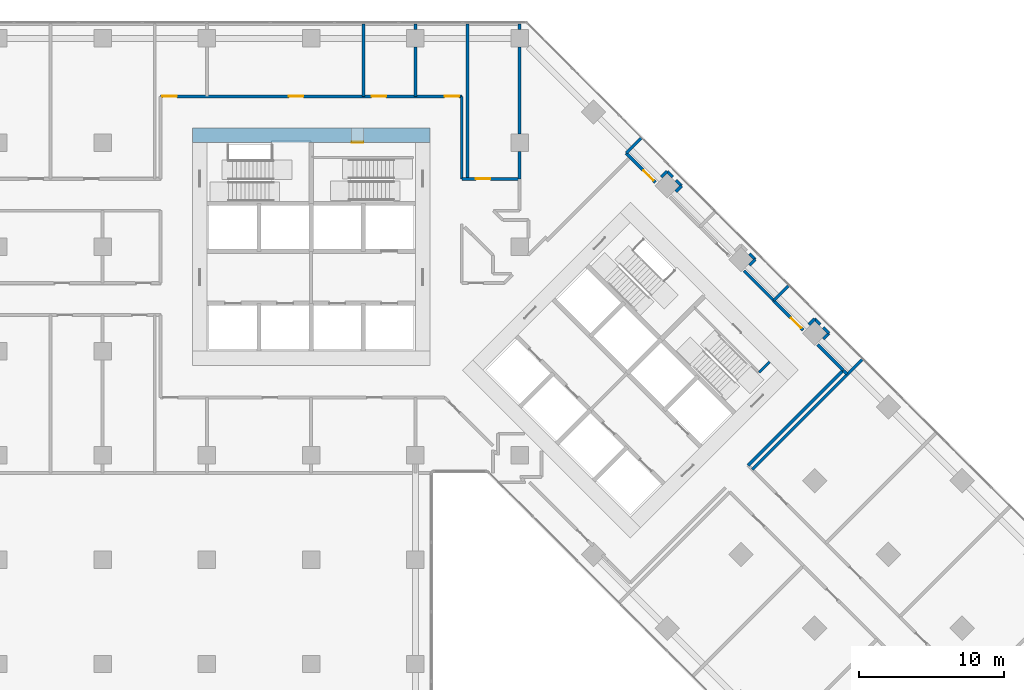
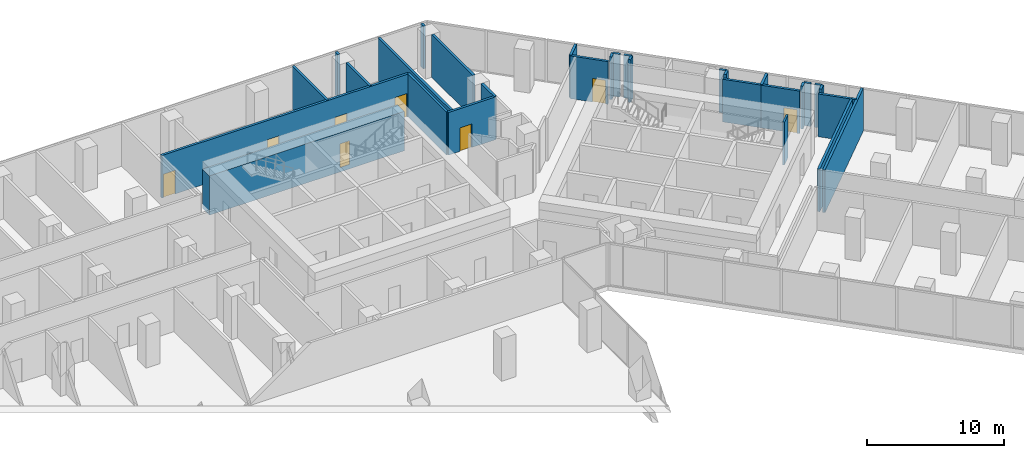
# One storey, part 23 of 27: 31 walls, 8 doors, 8 openings.
"""IFC4 building model written with IfcOpenShell, lengths in metres."""

from ifc_helpers import new_model, si_unit, direction, frame, frame_2d, origin, place, context, subcontext, project, spatial, rectangle, extrude, material, layer, layer_set, type_object, element, fill, save


model = new_model("IFC4")

# Units and contexts
model_context = context("Model", 3, precision=1e-05, world=origin(), true_north=direction((0.0, 1.0)))
body_context = subcontext(model_context, "Body", "Model", "MODEL_VIEW")
ifc_project = project(units=[si_unit("LENGTHUNIT", "METRE"), si_unit("AREAUNIT", "SQUARE_METRE"), si_unit("VOLUMEUNIT", "CUBIC_METRE"), si_unit("PLANEANGLEUNIT", "RADIAN"), si_unit("MASSUNIT", "GRAM", prefix="KILO")], contexts=[model_context])

# Site, building, storey
site_placement = place(None, origin())
site = spatial("IfcSite", under=ifc_project, at=site_placement, CompositionType="ELEMENT")
building_placement = place(site_placement, origin())
building = spatial("IfcBuilding", under=site, at=building_placement, Name="Windrow Commons", CompositionType="ELEMENT")
storey_placement = place(building_placement, frame((0.0, 0.0, 6.0)))
storey = spatial("IfcBuildingStorey", under=building, at=storey_placement, Name="L01", CompositionType="ELEMENT", Elevation=6.0)

# Wall, openings, doors
ifc_material_1 = material(Name="Blockwork partition", Category="masonry")
ifc_layer_1 = layer(ifc_material_1, 0.2)
ifc_layer_set_1 = layer_set([ifc_layer_1], Name="IW-CORRIDOR-200")
wall_type_1 = type_object("IfcWallType", Name="IW-CORRIDOR-200", PredefinedType="PARTITIONING", material=ifc_layer_set_1)
wall_1_placement = place(storey_placement, frame((54.4, 68.0, 0.0), z_axis=(0.0, 0.0, 1.0), x_axis=(1.0, 0.0, 0.0)))
wall_1 = element("IfcWall", 1, at=wall_1_placement, inside=storey, type_object=wall_type_1, Name="W-L01-W006", PredefinedType="PARTITIONING", context=body_context, shape_type="SweptSolid", body=[
    extrude(rectangle(XDim=20.8, YDim=0.2, at=frame_2d((10.4, 0.0))), origin(), (0.0, 0.0, 1.0), 3.8),
])
opening_1_placement = place(wall_1_placement, frame((0.121, 0.0, 0.0)))
opening_1 = element("IfcOpeningElement", 2, at=opening_1_placement, cuts=wall_1, Name="Opening D310F", PredefinedType="OPENING", context=body_context, shape_type="SweptSolid", body=[
    extrude(rectangle(XDim=1.0, YDim=2.1, at=frame_2d((0.5, 1.05))), frame((0.0, 0.11, 0.0), z_axis=(0.0, -1.0, 0.0), x_axis=(1.0, 0.0, 0.0)), (0.0, 0.0, 1.0), 0.22),
])
opening_2_placement = place(wall_1_placement, frame((19.6217, 0.0, 0.0)))
opening_2 = element("IfcOpeningElement", 3, at=opening_2_placement, cuts=wall_1, Name="Opening D310F", PredefinedType="OPENING", context=body_context, shape_type="SweptSolid", body=[
    extrude(rectangle(XDim=1.0, YDim=2.1, at=frame_2d((0.5, 1.05))), frame((0.0, 0.11, 0.0), z_axis=(0.0, -1.0, 0.0), x_axis=(1.0, 0.0, 0.0)), (0.0, 0.0, 1.0), 0.22),
])
opening_3_placement = place(wall_1_placement, frame((8.8583, 0.0, 0.0)))
opening_3 = element("IfcOpeningElement", 4, at=opening_3_placement, cuts=wall_1, Name="Opening D310F", PredefinedType="OPENING", context=body_context, shape_type="SweptSolid", body=[
    extrude(rectangle(XDim=1.0, YDim=2.1, at=frame_2d((0.5, 1.05))), frame((0.0, 0.11, 0.0), z_axis=(0.0, -1.0, 0.0), x_axis=(1.0, 0.0, 0.0)), (0.0, 0.0, 1.0), 0.22),
])
opening_4_placement = place(wall_1_placement, frame((14.5675, 0.0, 0.0)))
opening_4 = element("IfcOpeningElement", 5, at=opening_4_placement, cuts=wall_1, Name="Opening D310F", PredefinedType="OPENING", context=body_context, shape_type="SweptSolid", body=[
    extrude(rectangle(XDim=1.0, YDim=2.1, at=frame_2d((0.5, 1.05))), frame((0.0, 0.11, 0.0), z_axis=(0.0, -1.0, 0.0), x_axis=(1.0, 0.0, 0.0)), (0.0, 0.0, 1.0), 0.22),
])
ifc_material_2 = material(Name="Timber door leaf", Category="wood")
door_type_1 = type_object("IfcDoorType", Name="DT-AMENITY-1000", OperationType="SINGLE_SWING_LEFT", PredefinedType="DOOR", material=ifc_material_2)
door_1_placement = place(opening_1_placement, origin())
door_1 = element("IfcDoor", 6, at=door_1_placement, inside=storey, type_object=door_type_1, Name="D-L01-D030", OperationType="SINGLE_SWING_LEFT", OverallHeight=2.1, OverallWidth=1.0, PredefinedType="DOOR", context=body_context, shape_type="SweptSolid", body=[
    extrude(rectangle(XDim=1.0, YDim=2.1, at=frame_2d((0.5, 1.05))), frame((0.0, 0.025, 0.0), z_axis=(0.0, -1.0, 0.0), x_axis=(1.0, 0.0, 0.0)), (0.0, 0.0, 1.0), 0.05),
])
fill(opening_1, door_1)
door_2_placement = place(opening_2_placement, origin())
door_2 = element("IfcDoor", 7, at=door_2_placement, inside=storey, type_object=door_type_1, Name="D-L01-D031", OperationType="SINGLE_SWING_RIGHT", OverallHeight=2.1, OverallWidth=1.0, PredefinedType="DOOR", context=body_context, shape_type="SweptSolid", body=[
    extrude(rectangle(XDim=1.0, YDim=2.1, at=frame_2d((0.5, 1.05))), frame((0.0, 0.025, 0.0), z_axis=(0.0, -1.0, 0.0), x_axis=(1.0, 0.0, 0.0)), (0.0, 0.0, 1.0), 0.05),
])
fill(opening_2, door_2)
door_3_placement = place(opening_3_placement, origin())
door_3 = element("IfcDoor", 8, at=door_3_placement, inside=storey, type_object=door_type_1, Name="D-L01-D033", OperationType="SINGLE_SWING_RIGHT", OverallHeight=2.1, OverallWidth=1.0, PredefinedType="DOOR", context=body_context, shape_type="SweptSolid", body=[
    extrude(rectangle(XDim=1.0, YDim=2.1, at=frame_2d((0.5, 1.05))), frame((0.0, 0.025, 0.0), z_axis=(0.0, -1.0, 0.0), x_axis=(1.0, 0.0, 0.0)), (0.0, 0.0, 1.0), 0.05),
])
fill(opening_3, door_3)
door_4_placement = place(opening_4_placement, origin())
door_4 = element("IfcDoor", 9, at=door_4_placement, inside=storey, type_object=door_type_1, Name="D-L01-D034", OperationType="SINGLE_SWING_LEFT", OverallHeight=2.1, OverallWidth=1.0, PredefinedType="DOOR", context=body_context, shape_type="SweptSolid", body=[
    extrude(rectangle(XDim=1.0, YDim=2.1, at=frame_2d((0.5, 1.05))), frame((0.0, 0.025, 0.0), z_axis=(0.0, -1.0, 0.0), x_axis=(1.0, 0.0, 0.0)), (0.0, 0.0, 1.0), 0.05),
])
fill(opening_4, door_4)

# Walls
wall_2_placement = place(storey_placement, frame((94.9723, 42.5117, 0.0), z_axis=(0.0, 0.0, 1.0), x_axis=(0.7069992283, 0.7072143178, 0.0)))
element("IfcWall", 10, at=wall_2_placement, inside=storey, type_object=wall_type_1, Name="W-L01-W033", PredefinedType="PARTITIONING", context=body_context, shape_type="SweptSolid", body=[
    extrude(rectangle(XDim=9.2985, YDim=0.2, at=frame_2d((4.6493, 0.0))), origin(), (0.0, 0.0, 1.0), 3.8),
])
wall_3_placement = place(storey_placement, frame((75.2, 62.302, 0.0), z_axis=(0.0, 0.0, 1.0), x_axis=(0.0, 1.0, 0.0)))
element("IfcWall", 11, at=wall_3_placement, inside=storey, type_object=wall_type_1, Name="W-L01-W050", PredefinedType="PARTITIONING", context=body_context, shape_type="SweptSolid", body=[
    extrude(rectangle(XDim=5.698, YDim=0.2, at=frame_2d((2.849, 0.0))), origin(), (0.0, 0.0, 1.0), 3.8),
])

# Wall, opening, door
wall_4_placement = place(storey_placement, frame((75.202, 62.3, 0.0), z_axis=(0.0, 0.0, 1.0), x_axis=(1.0, 0.0, 0.0)))
wall_4 = element("IfcWall", 12, at=wall_4_placement, inside=storey, type_object=wall_type_1, Name="W-L01-W059", PredefinedType="PARTITIONING", context=body_context, shape_type="SweptSolid", body=[
    extrude(rectangle(XDim=3.998, YDim=0.2, at=frame_2d((1.999, 0.0))), origin(), (0.0, 0.0, 1.0), 3.8),
])
opening_5_placement = place(wall_4_placement, frame((0.9655, 0.0, 0.0)))
opening_5 = element("IfcOpeningElement", 13, at=opening_5_placement, cuts=wall_4, Name="Opening D310F", PredefinedType="OPENING", context=body_context, shape_type="SweptSolid", body=[
    extrude(rectangle(XDim=1.0, YDim=2.1, at=frame_2d((0.5, 1.05))), frame((0.0, 0.11, 0.0), z_axis=(0.0, -1.0, 0.0), x_axis=(1.0, 0.0, 0.0)), (0.0, 0.0, 1.0), 0.22),
])
door_5_placement = place(opening_5_placement, origin())
door_5 = element("IfcDoor", 14, at=door_5_placement, inside=storey, type_object=door_type_1, Name="D-L01-D032", OperationType="SINGLE_SWING_LEFT", OverallHeight=2.1, OverallWidth=1.0, PredefinedType="DOOR", context=body_context, shape_type="SweptSolid", body=[
    extrude(rectangle(XDim=1.0, YDim=2.1, at=frame_2d((0.5, 1.05))), frame((0.0, 0.025, 0.0), z_axis=(0.0, -1.0, 0.0), x_axis=(1.0, 0.0, 0.0)), (0.0, 0.0, 1.0), 0.05),
])
fill(opening_5, door_5)

wall_5_placement = place(storey_placement, frame((96.7329, 53.8949, 0.0), z_axis=(0.0, 0.0, 1.0), x_axis=(0.7071067812, -0.7071067812, 0.0)))
wall_5 = element("IfcWall", 15, at=wall_5_placement, inside=storey, type_object=wall_type_1, Name="W-L01-W070", PredefinedType="PARTITIONING", context=body_context, shape_type="SweptSolid", body=[
    extrude(rectangle(XDim=2.8963, YDim=0.2, at=frame_2d((1.4482, 0.0))), origin(), (0.0, 0.0, 1.0), 3.8),
])
opening_6_placement = place(wall_5_placement, frame((1.7014, 0.0, 0.0)))
opening_6 = element("IfcOpeningElement", 16, at=opening_6_placement, cuts=wall_5, Name="Opening D410F", PredefinedType="OPENING", context=body_context, shape_type="SweptSolid", body=[
    extrude(rectangle(XDim=1.0, YDim=2.1, at=frame_2d((0.5, 1.05))), frame((0.0, 0.11, 0.0), z_axis=(0.0, -1.0, 0.0), x_axis=(1.0, 0.0, 0.0)), (0.0, 0.0, 1.0), 0.22),
])
ifc_material_3 = material(Name="Timber door leaf", Category="wood")
door_type_2 = type_object("IfcDoorType", Name="DT-SERVICE-1000", OperationType="SINGLE_SWING_LEFT", PredefinedType="DOOR", material=ifc_material_3)
door_6_placement = place(opening_6_placement, origin())
door_6 = element("IfcDoor", 17, at=door_6_placement, inside=storey, type_object=door_type_2, Name="D-L01-D042", OperationType="SINGLE_SWING_RIGHT", OverallHeight=2.1, OverallWidth=1.0, PredefinedType="DOOR", context=body_context, shape_type="SweptSolid", body=[
    extrude(rectangle(XDim=1.0, YDim=2.1, at=frame_2d((0.5, 1.05))), frame((0.0, 0.025, 0.0), z_axis=(0.0, -1.0, 0.0), x_axis=(1.0, 0.0, 0.0)), (0.0, 0.0, 1.0), 0.05),
])
fill(opening_6, door_6)

# Wall
wall_6_placement = place(storey_placement, frame((94.6906, 55.9466, 0.0), z_axis=(0.0, 0.0, 1.0), x_axis=(0.7067612612, -0.7074521324, 0.0)))
element("IfcWall", 18, at=wall_6_placement, inside=storey, type_object=wall_type_1, Name="W-L01-W072", PredefinedType="PARTITIONING", context=body_context, shape_type="SweptSolid", body=[
    extrude(rectangle(XDim=2.8949, YDim=0.2, at=frame_2d((1.4474, 0.0))), origin(), (0.0, 0.0, 1.0), 3.8),
])

# Wall, opening, door
wall_7_placement = place(storey_placement, frame((86.5509, 64.0769, 0.0), z_axis=(0.0, 0.0, 1.0), x_axis=(0.7071067812, -0.7071067812, 0.0)))
wall_7 = element("IfcWall", 19, at=wall_7_placement, inside=storey, type_object=wall_type_1, Name="W-L01-W075", PredefinedType="PARTITIONING", context=body_context, shape_type="SweptSolid", body=[
    extrude(rectangle(XDim=2.8539, YDim=0.2, at=frame_2d((1.4269, 0.0))), origin(), (0.0, 0.0, 1.0), 3.8),
])
opening_7_placement = place(wall_7_placement, frame((1.6855, 0.0, 0.0)))
opening_7 = element("IfcOpeningElement", 20, at=opening_7_placement, cuts=wall_7, Name="Opening D410F", PredefinedType="OPENING", context=body_context, shape_type="SweptSolid", body=[
    extrude(rectangle(XDim=1.0, YDim=2.1, at=frame_2d((0.5, 1.05))), frame((0.0, 0.11, 0.0), z_axis=(0.0, -1.0, 0.0), x_axis=(1.0, 0.0, 0.0)), (0.0, 0.0, 1.0), 0.22),
])
door_7_placement = place(opening_7_placement, origin())
door_7 = element("IfcDoor", 21, at=door_7_placement, inside=storey, type_object=door_type_2, Name="D-L01-D040", OperationType="SINGLE_SWING_RIGHT", OverallHeight=2.1, OverallWidth=1.0, PredefinedType="DOOR", context=body_context, shape_type="SweptSolid", body=[
    extrude(rectangle(XDim=1.0, YDim=2.1, at=frame_2d((0.5, 1.05))), frame((0.0, 0.025, 0.0), z_axis=(0.0, -1.0, 0.0), x_axis=(1.0, 0.0, 0.0)), (0.0, 0.0, 1.0), 0.05),
])
fill(opening_7, door_7)

# Walls
wall_8_placement = place(storey_placement, frame((99.7769, 50.8509, 0.0), z_axis=(0.0, 0.0, 1.0), x_axis=(0.7071067812, -0.7071067812, 0.0)))
element("IfcWall", 22, at=wall_8_placement, inside=storey, type_object=wall_type_1, Name="W-L01-W078", PredefinedType="PARTITIONING", context=body_context, shape_type="SweptSolid", body=[
    extrude(rectangle(XDim=2.4947, YDim=0.2, at=frame_2d((1.2473, 0.0))), origin(), (0.0, 0.0, 1.0), 3.8),
])
ifc_material_4 = material(Name="Blockwork partition", Category="masonry")
ifc_layer_2 = layer(ifc_material_4, 0.2)
ifc_layer_set_2 = layer_set([ifc_layer_2], Name="IW-PARTY-200")
wall_type_2 = type_object("IfcWallType", Name="IW-PARTY-200", PredefinedType="PARTITIONING", material=ifc_layer_set_2)
wall_9_placement = place(storey_placement, frame((95.2504, 42.2316, 0.0), z_axis=(0.0, 0.0, 1.0), x_axis=(0.7071067812, 0.7071067812, 0.0)))
element("IfcWall", 23, at=wall_9_placement, inside=storey, type_object=wall_type_2, Name="W-L01-W021", PredefinedType="PARTITIONING", context=body_context, shape_type="SweptSolid", body=[
    extrude(rectangle(XDim=10.7707, YDim=0.2, at=frame_2d((5.3853, 0.0))), origin(), (0.0, 0.0, 1.0), 3.8),
])
wall_10_placement = place(storey_placement, frame((75.6, 62.3, 0.0), z_axis=(0.0, 0.0, 1.0), x_axis=(0.0, 1.0, 0.0)))
element("IfcWall", 24, at=wall_10_placement, inside=storey, type_object=wall_type_2, Name="W-L01-W030", PredefinedType="PARTITIONING", context=body_context, shape_type="SweptSolid", body=[
    extrude(rectangle(XDim=10.7, YDim=0.2, at=frame_2d((5.35, 0.0))), origin(), (0.0, 0.0, 1.0), 3.8),
])
wall_11_placement = place(storey_placement, frame((79.2, 65.4, 0.0), z_axis=(0.0, 0.0, 1.0), x_axis=(0.0, 1.0, 0.0)))
element("IfcWall", 25, at=wall_11_placement, inside=storey, type_object=wall_type_2, Name="W-L01-W046", PredefinedType="PARTITIONING", context=body_context, shape_type="SweptSolid", body=[
    extrude(rectangle(XDim=6.0, YDim=0.2, at=frame_2d((3.0, 0.0))), origin(), (0.0, 0.0, 1.0), 3.8),
])
wall_12_placement = place(storey_placement, frame((68.4, 68.0, 0.0), z_axis=(0.0, 0.0, 1.0), x_axis=(0.0, 1.0, 0.0)))
element("IfcWall", 26, at=wall_12_placement, inside=storey, type_object=wall_type_2, Name="W-L01-W054", PredefinedType="PARTITIONING", context=body_context, shape_type="SweptSolid", body=[
    extrude(rectangle(XDim=5.0, YDim=0.2, at=frame_2d((2.5, 0.0))), origin(), (0.0, 0.0, 1.0), 3.8),
])
wall_13_placement = place(storey_placement, frame((72.0, 68.0, 0.0), z_axis=(0.0, 0.0, 1.0), x_axis=(0.0, 1.0, 0.0)))
element("IfcWall", 27, at=wall_13_placement, inside=storey, type_object=wall_type_2, Name="W-L01-W068", PredefinedType="PARTITIONING", context=body_context, shape_type="SweptSolid", body=[
    extrude(rectangle(XDim=3.4, YDim=0.2, at=frame_2d((1.7, 0.0))), origin(), (0.0, 0.0, 1.0), 3.8),
])
wall_14_placement = place(storey_placement, frame((79.2, 62.3, 0.0), z_axis=(0.0, 0.0, 1.0), x_axis=(0.0, 1.0, 0.0)))
element("IfcWall", 28, at=wall_14_placement, inside=storey, type_object=wall_type_2, Name="W-L01-W087", PredefinedType="PARTITIONING", context=body_context, shape_type="SweptSolid", body=[
    extrude(rectangle(XDim=1.9, YDim=0.2, at=frame_2d((0.95, 0.0))), origin(), (0.0, 0.0, 1.0), 3.8),
])
wall_15_placement = place(storey_placement, frame((86.5509, 64.0769, 0.0), z_axis=(0.0, 0.0, 1.0), x_axis=(0.7063607097, 0.7078520663, 0.0)))
element("IfcWall", 29, at=wall_15_placement, inside=storey, type_object=wall_type_2, Name="W-L01-W110", PredefinedType="PARTITIONING", context=body_context, shape_type="SweptSolid", body=[
    extrude(rectangle(XDim=1.4752, YDim=0.2, at=frame_2d((0.7376, 0.0))), origin(), (0.0, 0.0, 1.0), 3.8),
])
wall_16_placement = place(storey_placement, frame((96.7353, 53.8987, 0.0), z_axis=(0.0, 0.0, 1.0), x_axis=(0.7071067812, 0.7071067812, 0.0)))
element("IfcWall", 30, at=wall_16_placement, inside=storey, type_object=wall_type_2, Name="W-L01-W111", PredefinedType="PARTITIONING", context=body_context, shape_type="SweptSolid", body=[
    extrude(rectangle(XDim=1.4708, YDim=0.2, at=frame_2d((0.7354, 0.0))), origin(), (0.0, 0.0, 1.0), 3.8),
])
for number, where, z_axis, x_axis, name in (
    (31, (89.9846, 61.4174, 0.0), (0.0, 0.0, 1.0), (0.7071067812, 0.7071067812, 0.0), "W-L01-W129"),
    (32, (89.9788, 62.2048, 0.0), (0.0, 0.0, 1.0), (0.7071067812, -0.7071067812, 0.0), "W-L01-W130"),
    (33, (100.1608, 52.0228, 0.0), (0.0, 0.0, 1.0), (0.7071067812, -0.7071067812, 0.0), "W-L01-W131"),
    (34, (88.9805, 62.4215, 0.0), (0.0, 0.0, 1.0), (0.7071067812, 0.7071067812, 0.0), "W-L01-W132"),
    (35, (100.1669, 51.2351, 0.0), (0.0, 0.0, 1.0), (0.7071067812, 0.7071067812, 0.0), "W-L01-W133"),
    (36, (89.3748, 62.8088, 0.0), (0.0, 0.0, 1.0), (0.7071067812, -0.7071067812, 0.0), "W-L01-W134"),
):
    element("IfcWall", number, at=place(storey_placement, frame(where, z_axis=z_axis, x_axis=x_axis)), inside=storey, type_object=wall_type_2, Name=name, PredefinedType="PARTITIONING", context=body_context, shape_type="SweptSolid", body=[
        extrude(rectangle(XDim=0.5572, YDim=0.2, at=frame_2d((0.2786, 0.0))), origin(), (0.0, 0.0, 1.0), 3.8),
    ])
wall_17_placement = place(storey_placement, frame((95.0722, 57.1142, 0.0), z_axis=(0.0, 0.0, 1.0), x_axis=(0.705305244, -0.7089037401, 0.0)))
element("IfcWall", 37, at=wall_17_placement, inside=storey, type_object=wall_type_2, Name="W-L01-W137", PredefinedType="PARTITIONING", context=body_context, shape_type="SweptSolid", body=[
    extrude(rectangle(XDim=0.5558, YDim=0.2, at=frame_2d((0.2779, 0.0))), origin(), (0.0, 0.0, 1.0), 3.8),
])
for number, where, z_axis, x_axis, name in (
    (38, (95.0767, 56.3273, 0.0), (0.0, 0.0, 1.0), (0.7071067812, 0.7071067812, 0.0), "W-L01-W138"),
    (39, (99.1719, 52.2341, 0.0), (0.0, 0.0, 1.0), (0.7071067812, 0.7071067812, 0.0), "W-L01-W139"),
    (40, (99.5588, 52.6248, 0.0), (0.0, 0.0, 1.0), (0.7071067812, -0.7071067812, 0.0), "W-L01-W140"),
):
    element("IfcWall", number, at=place(storey_placement, frame(where, z_axis=z_axis, x_axis=x_axis)), inside=storey, type_object=wall_type_2, Name=name, PredefinedType="PARTITIONING", context=body_context, shape_type="SweptSolid", body=[
        extrude(rectangle(XDim=0.5544, YDim=0.2, at=frame_2d((0.2772, 0.0))), origin(), (0.0, 0.0, 1.0), 3.8),
    ])
wall_18_placement = place(storey_placement, frame((101.5622, 49.0657, 0.0), z_axis=(0.0, 0.0, 1.0), x_axis=(0.7071067812, -0.7071067812, 0.0)))
element("IfcWall", 41, at=wall_18_placement, inside=storey, type_object=wall_type_2, Name="W-L01-W144", PredefinedType="PARTITIONING", context=body_context, shape_type="SweptSolid", body=[
    extrude(rectangle(XDim=0.3415, YDim=0.2, at=frame_2d((0.1708, 0.0))), origin(), (0.0, 0.0, 1.0), 3.8),
])
for number, where, z_axis, x_axis, name in (
    (42, (72.0, 72.6, 0.0), (0.0, 0.0, 1.0), (0.0, 1.0, 0.0), "W-L01-W148"),
    (43, (79.2, 72.6, 0.0), (0.0, 0.0, 1.0), (0.0, 1.0, 0.0), "W-L01-W149"),
):
    element("IfcWall", number, at=place(storey_placement, frame(where, z_axis=z_axis, x_axis=x_axis)), inside=storey, type_object=wall_type_2, Name=name, PredefinedType="PARTITIONING", context=body_context, shape_type="SweptSolid", body=[
        extrude(rectangle(XDim=0.4, YDim=0.2, at=frame_2d((0.2, 0.0))), origin(), (0.0, 0.0, 1.0), 3.8),
    ])

# Wall, opening, door
ifc_material_5 = material(Name="Concrete C60/75", Category="concrete")
ifc_layer_3 = layer(ifc_material_5, 1.0)
ifc_layer_set_3 = layer_set([ifc_layer_3], Name="RC CORE WALL 1000 C60/75")
wall_type_3 = type_object("IfcWallType", Name="RC CORE WALL 1000 C60/75", PredefinedType="SHEAR", material=ifc_layer_set_3)
wall_19_placement = place(storey_placement, frame((56.6, 65.3, -0.4), z_axis=(0.0, 0.0, 1.0), x_axis=(1.0, 0.0, 0.0)))
wall_19 = element("IfcWall", 44, at=wall_19_placement, inside=storey, type_object=wall_type_3, Name="Core A wall outer-N", PredefinedType="SHEAR", context=body_context, shape_type="SweptSolid", body=[
    extrude(rectangle(XDim=16.4, YDim=1.0, at=frame_2d((8.2, 0.0))), origin(), (0.0, 0.0, 1.0), 3.5),
])
opening_8_placement = place(wall_19_placement, frame((11.0, 0.0, 0.4)))
opening_8 = element("IfcOpeningElement", 45, at=opening_8_placement, cuts=wall_19, Name="Opening D9", PredefinedType="OPENING", context=body_context, shape_type="SweptSolid", body=[
    extrude(rectangle(XDim=0.8, YDim=2.1, at=frame_2d((0.4, 1.05))), frame((0.0, 0.51, 0.0), z_axis=(0.0, -1.0, 0.0), x_axis=(1.0, 0.0, 0.0)), (0.0, 0.0, 1.0), 1.02),
])
ifc_material_6 = material(Name="Steel fire door leaf", Category="steel")
door_type_3 = type_object("IfcDoorType", Name="Riser access door 800", OperationType="SINGLE_SWING_LEFT", PredefinedType="DOOR", material=ifc_material_6)
door_8_placement = place(opening_8_placement, origin())
door_8 = element("IfcDoor", 46, at=door_8_placement, inside=storey, type_object=door_type_3, Name="Riser access door", OperationType="SINGLE_SWING_RIGHT", OverallHeight=2.1, OverallWidth=0.8, PredefinedType="DOOR", context=body_context, shape_type="SweptSolid", body=[
    extrude(rectangle(XDim=0.8, YDim=2.1, at=frame_2d((0.4, 1.05))), frame((0.0, -0.44, 0.0), z_axis=(0.0, -1.0, 0.0), x_axis=(1.0, 0.0, 0.0)), (0.0, 0.0, 1.0), 0.05),
])
fill(opening_8, door_8)

# Wall
ifc_material_7 = material(Name="Blockwork partition", Category="masonry")
ifc_layer_4 = layer(ifc_material_7, 0.15)
ifc_layer_set_4 = layer_set([ifc_layer_4], Name="Riser partition 150")
wall_type_4 = type_object("IfcWallType", Name="Riser partition 150", PredefinedType="PARTITIONING", material=ifc_layer_set_4)
wall_20_placement = place(storey_placement, frame((95.7322, 48.9342, 0.0), z_axis=(0.0, 0.0, 1.0), x_axis=(0.7071067812, 0.7071067812, 0.0)))
element("IfcWall", 47, at=wall_20_placement, inside=storey, type_object=wall_type_4, Name="W-core-stripx-B-L01-1", PredefinedType="PARTITIONING", context=body_context, shape_type="SweptSolid", body=[
    extrude(rectangle(XDim=1.0199, YDim=0.15, at=frame_2d((0.51, 0.0))), origin(), (0.0, 0.0, 1.0), 3.8),
])

save(model, "model.ifc")
